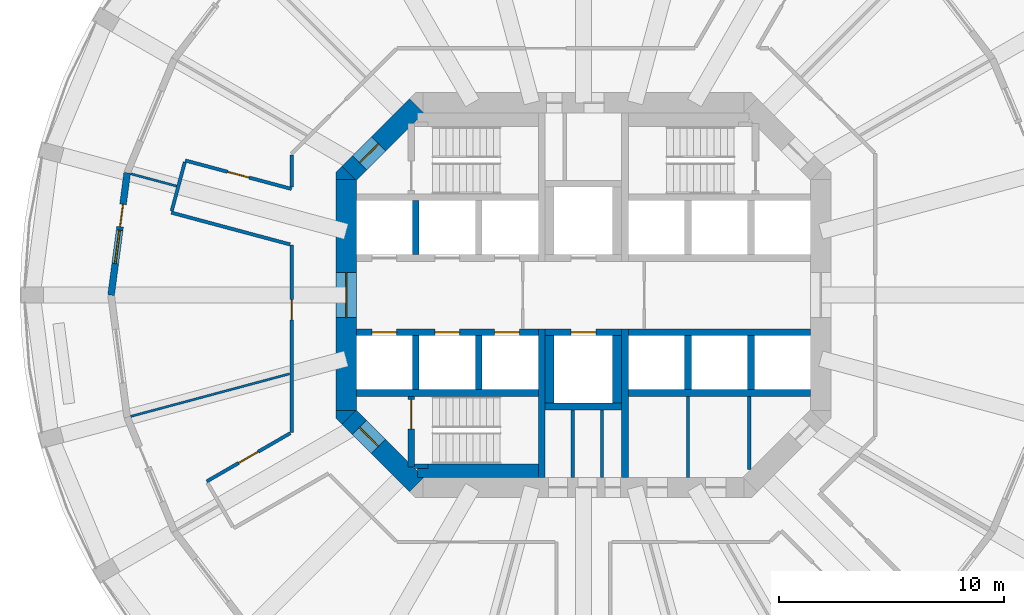
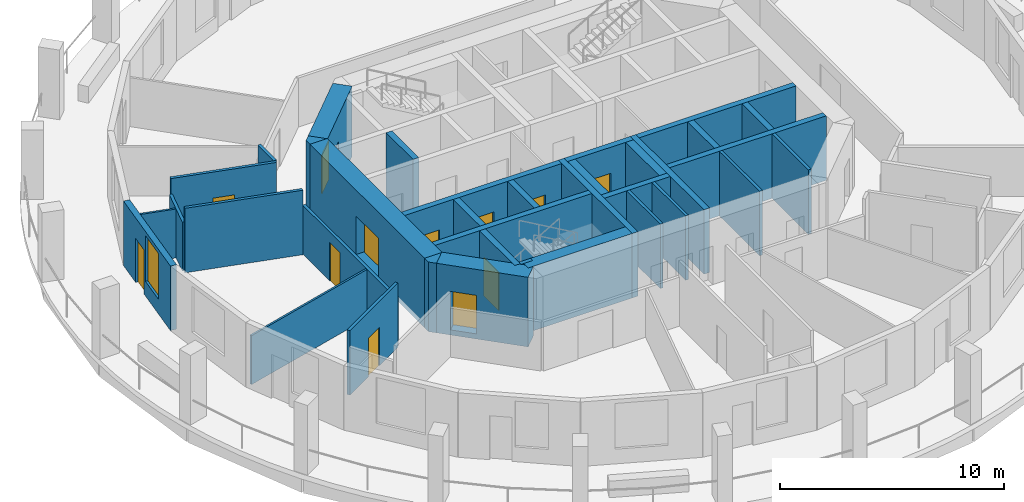
# One storey, part 3 of 8: 36 walls, 12 doors, 1 window, 13 openings.
"""IFC4 building model written with IfcOpenShell, lengths in metres."""

from ifc_helpers import new_model, si_unit, direction, frame, frame_2d, origin, place, context, subcontext, project, spatial, polyline, rectangle, outline, extrude, material, layer, layer_set, type_object, element, fill, save


model = new_model("IFC4")

# Units and contexts
model_context = context("Model", 3, precision=1e-05, world=origin(), true_north=direction((0.0, 1.0)))
body_context = subcontext(model_context, "Body", "Model", "MODEL_VIEW")
ifc_project = project(units=[si_unit("LENGTHUNIT", "METRE"), si_unit("AREAUNIT", "SQUARE_METRE"), si_unit("VOLUMEUNIT", "CUBIC_METRE"), si_unit("PLANEANGLEUNIT", "RADIAN"), si_unit("MASSUNIT", "GRAM", prefix="KILO")], contexts=[model_context])

# Site, building, storey
site_placement = place(None, origin())
site = spatial("IfcSite", under=ifc_project, at=site_placement, CompositionType="ELEMENT")
building_placement = place(site_placement, origin())
building = spatial("IfcBuilding", under=site, at=building_placement, Name="Torre Triforio", CompositionType="ELEMENT")
storey_placement = place(building_placement, frame((0.0, 0.0, 123.800048828125)))
storey = spatial("IfcBuildingStorey", under=building, at=storey_placement, Name="L27", CompositionType="ELEMENT", Elevation=123.800048828125)

# Walls
ifc_material_1 = material(Name="Concrete C60", Category="concrete")
ifc_layer_1 = layer(ifc_material_1, 0.300048828125)
ifc_layer_set_1 = layer_set([ifc_layer_1], Name="Concrete C60")
wall_type_1 = type_object("IfcWallType", Name="Core wall 300 mm C60 EI 120", PredefinedType="SHEAR", material=ifc_layer_set_1)
for number, where, z_axis, x_axis, name in (
    (1, (-1.85009765625, -8.10009765625, 0.0), (0.0, 0.0, 1.0), (0.0, 1.0, 0.0), "Core wall"),
    (2, (1.85009765625, -8.10009765625, 0.0), (0.0, 0.0, 1.0), (0.0, 1.0, 0.0), "Core wall"),
):
    element("IfcWall", number, at=place(storey_placement, frame(where, z_axis=z_axis, x_axis=x_axis)), inside=storey, type_object=wall_type_1, Name=name, PredefinedType="SHEAR", context=body_context, shape_type="SweptSolid", body=[
        extrude(rectangle(XDim=6.60009765625, YDim=0.300048828125, at=frame_2d((3.300048828125, 0.0))), origin(), (0.0, 0.0, 1.0), 3.52001953125),
    ])

# Wall, opening, door
ifc_layer_2 = layer(ifc_material_1, 0.89990234375)
ifc_layer_set_2 = layer_set([ifc_layer_2], Name="Concrete C60")
wall_type_2 = type_object("IfcWallType", Name="Core wall 900 mm C60 EI 120", PredefinedType="SHEAR", material=ifc_layer_set_2)
wall_1_placement = place(storey_placement, frame((-10.550048828125, -5.1298828125, -0.280029296875), z_axis=(0.0, 0.0, 1.0), x_axis=(0.0, 1.0, 0.0)))
wall_1 = element("IfcWall", 3, at=wall_1_placement, inside=storey, type_object=wall_type_2, Name="Core wall", PredefinedType="SHEAR", context=body_context, shape_type="SweptSolid", body=[
    extrude(rectangle(XDim=10.259765625, YDim=0.89990234375, at=frame_2d((5.1298828125, 0.0))), origin(), (0.0, 0.0, 1.0), 3.800048828125),
])
opening_1_placement = place(wall_1_placement, frame((4.1298828125, 0.0, 0.280029296875)))
opening_1 = element("IfcOpeningElement", 4, at=opening_1_placement, cuts=wall_1, Name="Opening W-RING", PredefinedType="OPENING", context=body_context, shape_type="SweptSolid", body=[
    extrude(rectangle(XDim=2.0, YDim=2.10009765625, at=frame_2d((1.0, 1.050048828125))), frame((0.0, 0.4599609375, 0.0), z_axis=(0.0, -1.0, 0.0), x_axis=(1.0, 0.0, 0.0)), (0.0, 0.0, 1.0), 0.919921875),
])
ifc_material_2 = material(Name="Hollow metal fire door leaf")
door_type_1 = type_object("IfcDoorType", Name="Lobby door 2000 x 2100 EI 60", OperationType="DOUBLE_DOOR_SINGLE_SWING", PredefinedType="DOOR", material=ifc_material_2)
door_1_placement = place(opening_1_placement, origin())
door_1 = element("IfcDoor", 5, at=door_1_placement, inside=storey, type_object=door_type_1, Name="Core door W-RING", OperationType="DOUBLE_DOOR_SINGLE_SWING", OverallHeight=2.10009765625, OverallWidth=2.0, PredefinedType="DOOR", context=body_context, shape_type="SweptSolid", body=[
    extrude(rectangle(XDim=2.0, YDim=2.10009765625, at=frame_2d((1.0, 1.050048828125))), frame((0.0, 0.02490234375, 0.0), z_axis=(0.0, -1.0, 0.0), x_axis=(1.0, 0.0, 0.0)), (0.0, 0.0, 1.0), 0.050048828125),
])
fill(opening_1, door_1)

wall_2_placement = place(storey_placement, frame((-10.418212890625, 5.418212890625, -0.280029296875), z_axis=(0.0, 0.0, 1.0), x_axis=(0.707106781187, 0.707106781187, 0.0)))
wall_2 = element("IfcWall", 6, at=wall_2_placement, inside=storey, type_object=wall_type_2, Name="Core wall", PredefinedType="SHEAR", context=body_context, shape_type="SweptSolid", body=[
    extrude(rectangle(XDim=4.24267578125, YDim=0.89990234375, at=frame_2d((2.121337890625, 0.0))), origin(), (0.0, 0.0, 1.0), 3.800048828125),
])
opening_2_placement = place(wall_2_placement, frame((0.64990234375, 0.0, 0.280029296875)))
opening_2 = element("IfcOpeningElement", 7, at=opening_2_placement, cuts=wall_2, Name="Opening ST1-EXIT", PredefinedType="OPENING", context=body_context, shape_type="SweptSolid", body=[
    extrude(rectangle(XDim=1.199951171875, YDim=2.10009765625, at=frame_2d((0.60009765625, 1.050048828125))), frame((0.0, 0.4599609375, 0.0), z_axis=(0.0, -1.0, 0.0), x_axis=(1.0, 0.0, 0.0)), (0.0, 0.0, 1.0), 0.919921875),
])
door_type_2 = type_object("IfcDoorType", Name="Stair lobby door 1200 x 2100 EI 60", OperationType="NOTDEFINED", PredefinedType="DOOR", material=ifc_material_2)
door_2_placement = place(opening_2_placement, origin())
door_2 = element("IfcDoor", 8, at=door_2_placement, inside=storey, type_object=door_type_2, Name="Core door ST1-EXIT", OperationType="SINGLE_SWING_RIGHT", OverallHeight=2.10009765625, OverallWidth=1.199951171875, PredefinedType="DOOR", context=body_context, shape_type="SweptSolid", body=[
    extrude(rectangle(XDim=1.199951171875, YDim=2.10009765625, at=frame_2d((0.60009765625, 1.050048828125))), frame((0.0, 0.02490234375, 0.0), z_axis=(0.0, -1.0, 0.0), x_axis=(1.0, 0.0, 0.0)), (0.0, 0.0, 1.0), 0.050048828125),
])
fill(opening_2, door_2)

wall_3_placement = place(storey_placement, frame((-7.418212890625, -8.418212890625, -0.280029296875), z_axis=(0.0, 0.0, 1.0), x_axis=(-0.707106781187, 0.707106781187, 0.0)))
wall_3 = element("IfcWall", 9, at=wall_3_placement, inside=storey, type_object=wall_type_2, Name="Core wall", PredefinedType="SHEAR", context=body_context, shape_type="SweptSolid", body=[
    extrude(rectangle(XDim=4.24267578125, YDim=0.89990234375, at=frame_2d((2.121337890625, 0.0))), origin(), (0.0, 0.0, 1.0), 3.800048828125),
])
opening_3_placement = place(wall_3_placement, frame((2.392578125, 0.0, 0.280029296875)))
opening_3 = element("IfcOpeningElement", 10, at=opening_3_placement, cuts=wall_3, Name="Opening ST3-EXIT", PredefinedType="OPENING", context=body_context, shape_type="SweptSolid", body=[
    extrude(rectangle(XDim=1.199951171875, YDim=2.10009765625, at=frame_2d((0.60009765625, 1.050048828125))), frame((0.0, 0.4599609375, 0.0), z_axis=(0.0, -1.0, 0.0), x_axis=(1.0, 0.0, 0.0)), (0.0, 0.0, 1.0), 0.919921875),
])
door_3_placement = place(opening_3_placement, origin())
door_3 = element("IfcDoor", 11, at=door_3_placement, inside=storey, type_object=door_type_2, Name="Core door ST3-EXIT", OperationType="SINGLE_SWING_RIGHT", OverallHeight=2.10009765625, OverallWidth=1.199951171875, PredefinedType="DOOR", context=body_context, shape_type="SweptSolid", body=[
    extrude(rectangle(XDim=1.199951171875, YDim=2.10009765625, at=frame_2d((0.60009765625, 1.050048828125))), frame((0.0, 0.02490234375, 0.0), z_axis=(0.0, -1.0, 0.0), x_axis=(1.0, 0.0, 0.0)), (0.0, 0.0, 1.0), 0.050048828125),
])
fill(opening_3, door_3)

# Walls
wall_4_placement = place(storey_placement, frame((0.0, 0.0, -0.280029296875)))
element("IfcWall", 12, at=wall_4_placement, inside=storey, type_object=wall_type_2, Name="Core wall", PredefinedType="SHEAR", context=body_context, shape_type="SweptSolid", body=[
    extrude(outline(polyline([(-11.0, -5.472900390625), (-11.0, -5.1298828125), (-10.1298828125, -5.1298828125), (-10.736328125, -5.736328125), (-11.0, -5.472900390625)])), origin(), (0.0, 0.0, 1.0), 3.800048828125),
])
wall_5_placement = place(storey_placement, frame((0.0, 0.0, -0.280029296875)))
element("IfcWall", 13, at=wall_5_placement, inside=storey, type_object=wall_type_2, Name="Core wall", PredefinedType="SHEAR", context=body_context, shape_type="SweptSolid", body=[
    extrude(outline(polyline([(-10.736328125, 5.736328125), (-10.1298828125, 5.1298828125), (-11.0, 5.1298828125), (-11.0, 5.472900390625), (-10.736328125, 5.736328125)])), origin(), (0.0, 0.0, 1.0), 3.800048828125),
])

# Wall, opening, door
ifc_material_3 = material(Name="Plasterboard on metal studs")
ifc_layer_3 = layer(ifc_material_3, 0.14990234375)
ifc_layer_set_3 = layer_set([ifc_layer_3], Name="Plasterboard on metal studs")
wall_type_3 = type_object("IfcWallType", Name="Corridor and tenancy wall 150 mm EI 60", PredefinedType="PARTITIONING", material=ifc_layer_set_3)
wall_6_placement = place(storey_placement, frame((-16.750244140625, -8.28515625, 0.0), z_axis=(0.0, 0.0, 1.0), x_axis=(0.866019905438, 0.500009523294, 0.0)))
wall_6 = element("IfcWall", 14, at=wall_6_placement, inside=storey, type_object=wall_type_3, Name="Partition 2", PredefinedType="PARTITIONING", context=body_context, shape_type="SweptSolid", body=[
    extrude(rectangle(XDim=4.29443359375, YDim=0.14990234375, at=frame_2d((2.147216796875, 0.0))), origin(), (0.0, 0.0, 1.0), 3.52001953125),
])
opening_4_placement = place(wall_6_placement, frame((1.647216796875, 0.0, 0.0)))
opening_4 = element("IfcOpeningElement", 15, at=opening_4_placement, cuts=wall_6, Name="Opening D1-05", PredefinedType="OPENING", context=body_context, shape_type="SweptSolid", body=[
    extrude(rectangle(XDim=1.0, YDim=2.10009765625, at=frame_2d((0.5, 1.050048828125))), frame((0.0, 0.0849609375, 0.0), z_axis=(0.0, -1.0, 0.0), x_axis=(1.0, 0.0, 0.0)), (0.0, 0.0, 1.0), 0.169921875),
])
ifc_material_4 = material(Name="Timber", Category="wood")
door_type_3 = type_object("IfcDoorType", Name="Door 1000 x 2100 single leaf EI 30", OperationType="NOTDEFINED", PredefinedType="DOOR", material=ifc_material_4)
door_4_placement = place(opening_4_placement, origin())
door_4 = element("IfcDoor", 16, at=door_4_placement, inside=storey, type_object=door_type_3, Name="Door D1-05", OperationType="SINGLE_SWING_RIGHT", OverallHeight=2.10009765625, OverallWidth=1.0, PredefinedType="DOOR", context=body_context, shape_type="SweptSolid", body=[
    extrude(rectangle(XDim=1.0, YDim=2.10009765625, at=frame_2d((0.5, 1.050048828125))), frame((0.0, 0.02490234375, 0.0), z_axis=(0.0, -1.0, 0.0), x_axis=(1.0, 0.0, 0.0)), (0.0, 0.0, 1.0), 0.050048828125),
])
fill(opening_4, door_4)

wall_7_placement = place(storey_placement, frame((-12.97509765625, -6.10546875, 0.0), z_axis=(0.0, 0.0, 1.0), x_axis=(0.0, 1.0, 0.0)))
wall_7 = element("IfcWall", 17, at=wall_7_placement, inside=storey, type_object=wall_type_3, Name="Partition 3", PredefinedType="PARTITIONING", context=body_context, shape_type="SweptSolid", body=[
    extrude(rectangle(XDim=8.33984375, YDim=0.14990234375, at=frame_2d((4.169921875, 0.0))), origin(), (0.0, 0.0, 1.0), 2.669921875),
])
opening_5_placement = place(wall_7_placement, frame((5.00830078125, 0.0, 0.0)))
opening_5 = element("IfcOpeningElement", 18, at=opening_5_placement, cuts=wall_7, Name="Opening D1-04", PredefinedType="OPENING", context=body_context, shape_type="SweptSolid", body=[
    extrude(rectangle(XDim=0.89990234375, YDim=2.10009765625, at=frame_2d((0.449951171875, 1.050048828125))), frame((0.0, 0.0849609375, 0.0), z_axis=(0.0, -1.0, 0.0), x_axis=(1.0, 0.0, 0.0)), (0.0, 0.0, 1.0), 0.169921875),
])
door_type_4 = type_object("IfcDoorType", Name="Door 900 x 2100 single leaf EI 30", OperationType="NOTDEFINED", PredefinedType="DOOR", material=ifc_material_4)
door_5_placement = place(opening_5_placement, origin())
door_5 = element("IfcDoor", 19, at=door_5_placement, inside=storey, type_object=door_type_4, Name="Door D1-04", OperationType="SINGLE_SWING_LEFT", OverallHeight=2.10009765625, OverallWidth=0.89990234375, PredefinedType="DOOR", context=body_context, shape_type="SweptSolid", body=[
    extrude(rectangle(XDim=0.89990234375, YDim=2.10009765625, at=frame_2d((0.449951171875, 1.050048828125))), frame((0.0, 0.02490234375, 0.0), z_axis=(0.0, -1.0, 0.0), x_axis=(1.0, 0.0, 0.0)), (0.0, 0.0, 1.0), 0.050048828125),
])
fill(opening_5, door_5)

# Walls
wall_8_placement = place(storey_placement, frame((-13.044921875, 2.253173828125, 0.0), z_axis=(0.0, 0.0, 1.0), x_axis=(-0.965932498402, 0.258794143153, 0.0)))
element("IfcWall", 20, at=wall_8_placement, inside=storey, type_object=wall_type_3, Name="Partition 4", PredefinedType="PARTITIONING", context=body_context, shape_type="SweptSolid", body=[
    extrude(rectangle(XDim=5.465087890625, YDim=0.14990234375, at=frame_2d((2.732421875, 0.0))), origin(), (0.0, 0.0, 1.0), 3.52001953125),
])
wall_9_placement = place(storey_placement, frame((-18.304443359375, 3.739990234375, 0.0), z_axis=(0.0, 0.0, 1.0), x_axis=(0.25879032241, 0.965933522054, 0.0)))
element("IfcWall", 21, at=wall_9_placement, inside=storey, type_object=wall_type_3, Name="Partition 5", PredefinedType="PARTITIONING", context=body_context, shape_type="SweptSolid", body=[
    extrude(rectangle(XDim=2.25, YDim=0.14990234375, at=frame_2d((1.125, 0.0))), origin(), (0.0, 0.0, 1.0), 2.669921875),
])

# Wall, opening, door
wall_10_placement = place(storey_placement, frame((-17.70263671875, 5.98583984375, 0.0), z_axis=(0.0, 0.0, 1.0), x_axis=(0.965920440817, -0.258839143121, 0.0)))
wall_10 = element("IfcWall", 22, at=wall_10_placement, inside=storey, type_object=wall_type_3, Name="Partition 6", PredefinedType="PARTITIONING", context=body_context, shape_type="SweptSolid", body=[
    extrude(rectangle(XDim=4.894287109375, YDim=0.14990234375, at=frame_2d((2.447265625, 0.0))), origin(), (0.0, 0.0, 1.0), 3.52001953125),
])
opening_6_placement = place(wall_10_placement, frame((1.947265625, 0.0, 0.0)))
opening_6 = element("IfcOpeningElement", 23, at=opening_6_placement, cuts=wall_10, Name="Opening D1-03", PredefinedType="OPENING", context=body_context, shape_type="SweptSolid", body=[
    extrude(rectangle(XDim=1.0, YDim=2.10009765625, at=frame_2d((0.5, 1.050048828125))), frame((0.0, 0.0849609375, 0.0), z_axis=(0.0, -1.0, 0.0), x_axis=(1.0, 0.0, 0.0)), (0.0, 0.0, 1.0), 0.169921875),
])
door_6_placement = place(opening_6_placement, origin())
door_6 = element("IfcDoor", 24, at=door_6_placement, inside=storey, type_object=door_type_3, Name="Door D1-03", OperationType="SINGLE_SWING_RIGHT", OverallHeight=2.10009765625, OverallWidth=1.0, PredefinedType="DOOR", context=body_context, shape_type="SweptSolid", body=[
    extrude(rectangle(XDim=1.0, YDim=2.10009765625, at=frame_2d((0.5, 1.050048828125))), frame((0.0, 0.02490234375, 0.0), z_axis=(0.0, -1.0, 0.0), x_axis=(1.0, 0.0, 0.0)), (0.0, 0.0, 1.0), 0.050048828125),
])
fill(opening_6, door_6)

# Walls
wall_11_placement = place(storey_placement, frame((-12.97509765625, 4.81640625, 0.0), z_axis=(0.0, 0.0, 1.0), x_axis=(0.0, 1.0, 0.0)))
element("IfcWall", 25, at=wall_11_placement, inside=storey, type_object=wall_type_3, Name="Partition 7", PredefinedType="PARTITIONING", context=body_context, shape_type="SweptSolid", body=[
    extrude(rectangle(XDim=1.421875, YDim=0.14990234375, at=frame_2d((0.7109375, 0.0))), origin(), (0.0, 0.0, 1.0), 3.52001953125),
])
ifc_layer_4 = layer(ifc_material_3, 0.10009765625)
ifc_layer_set_4 = layer_set([ifc_layer_4], Name="Plasterboard on metal studs")
wall_type_4 = type_object("IfcWallType", Name="Partition 100 mm board on metal studs", PredefinedType="PARTITIONING", material=ifc_layer_set_4)
wall_12_placement = place(storey_placement, frame((-18.085693359375, 4.84619140625, 0.0), z_axis=(0.0, 0.0, 1.0), x_axis=(-0.965956301772, 0.258705282257, 0.0)))
element("IfcWall", 26, at=wall_12_placement, inside=storey, type_object=wall_type_4, Name="Partition 35", PredefinedType="PARTITIONING", context=body_context, shape_type="SweptSolid", body=[
    extrude(rectangle(XDim=2.113037109375, YDim=0.10009765625, at=frame_2d((1.056640625, 0.0))), origin(), (0.0, 0.0, 1.0), 2.669921875),
])
wall_13_placement = place(storey_placement, frame((-13.064208984375, -3.50048828125, 0.0), z_axis=(0.0, 0.0, 1.0), x_axis=(-0.965927781613, -0.258811747624, 0.0)))
element("IfcWall", 27, at=wall_13_placement, inside=storey, type_object=wall_type_4, Name="Partition 36", PredefinedType="PARTITIONING", context=body_context, shape_type="SweptSolid", body=[
    extrude(rectangle(XDim=7.3115234375, YDim=0.10009765625, at=frame_2d((3.65576171875, 0.0))), origin(), (0.0, 0.0, 1.0), 2.669921875),
])
ifc_material_5 = material(Name="Block and board partition")
ifc_layer_5 = layer(ifc_material_5, 0.14990234375)
ifc_layer_set_5 = layer_set([ifc_layer_5], Name="Block and board partition")
wall_type_5 = type_object("IfcWallType", Name="Partition 150 mm", PredefinedType="PARTITIONING", material=ifc_layer_set_5)
wall_14_placement = place(storey_placement, frame((-0.47509765625, -8.10009765625, 0.0), z_axis=(0.0, 0.0, 1.0), x_axis=(0.0, 1.0, 0.0)))
element("IfcWall", 28, at=wall_14_placement, inside=storey, type_object=wall_type_5, Name="Partition", PredefinedType="PARTITIONING", context=body_context, shape_type="SweptSolid", body=[
    extrude(rectangle(XDim=3.0, YDim=0.14990234375, at=frame_2d((1.5, 0.0))), origin(), (0.0, 0.0, 1.0), 3.52001953125),
])
wall_15_placement = place(storey_placement, frame((4.64892578125, -8.10009765625, 0.0), z_axis=(0.0, 0.0, 1.0), x_axis=(0.0, 1.0, 0.0)))
element("IfcWall", 29, at=wall_15_placement, inside=storey, type_object=wall_type_5, Name="Partition", PredefinedType="PARTITIONING", context=body_context, shape_type="SweptSolid", body=[
    extrude(rectangle(XDim=3.60009765625, YDim=0.14990234375, at=frame_2d((1.800048828125, 0.0))), origin(), (0.0, 0.0, 1.0), 3.52001953125),
])
wall_16_placement = place(storey_placement, frame((7.373046875, -7.751953125, 0.0), z_axis=(0.0, 0.0, 1.0), x_axis=(0.0, 1.0, 0.0)))
element("IfcWall", 30, at=wall_16_placement, inside=storey, type_object=wall_type_5, Name="Partition", PredefinedType="PARTITIONING", context=body_context, shape_type="SweptSolid", body=[
    extrude(rectangle(XDim=3.251953125, YDim=0.14990234375, at=frame_2d((1.6259765625, 0.0))), origin(), (0.0, 0.0, 1.0), 3.52001953125),
])
ifc_layer_6 = layer(ifc_material_5, 0.14990234375)
ifc_layer_set_6 = layer_set([ifc_layer_6], Name="Block and board partition")
wall_type_6 = type_object("IfcWallType", Name="Partition 150 mm EI 120", PredefinedType="PARTITIONING", material=ifc_layer_set_6)
wall_17_placement = place(storey_placement, frame((0.824951171875, -8.10009765625, 0.0), z_axis=(0.0, 0.0, 1.0), x_axis=(0.0, 1.0, 0.0)))
element("IfcWall", 31, at=wall_17_placement, inside=storey, type_object=wall_type_6, Name="Partition", PredefinedType="PARTITIONING", context=body_context, shape_type="SweptSolid", body=[
    extrude(rectangle(XDim=3.0, YDim=0.14990234375, at=frame_2d((1.5, 0.0))), origin(), (0.0, 0.0, 1.0), 3.52001953125),
])
ifc_layer_7 = layer(ifc_material_1, 0.300048828125)
ifc_layer_set_7 = layer_set([ifc_layer_7], Name="Concrete C60")
wall_type_7 = type_object("IfcWallType", Name="Shaft wall 300 mm C60 EI 120", PredefinedType="SOLIDWALL", material=ifc_layer_set_7)
for number, where, z_axis, x_axis, name in (
    (32, (-10.10009765625, -4.35009765625, 0.0), (0.0, 0.0, 1.0), (1.0, 0.0, 0.0), "Shaft wall"),
    (33, (2.0, -4.35009765625, 0.0), (0.0, 0.0, 1.0), (1.0, 0.0, 0.0), "Shaft wall"),
):
    element("IfcWall", number, at=place(storey_placement, frame(where, z_axis=z_axis, x_axis=x_axis)), inside=storey, type_object=wall_type_7, Name=name, PredefinedType="SOLIDWALL", context=body_context, shape_type="SweptSolid", body=[
        extrude(rectangle(XDim=8.10009765625, YDim=0.300048828125, at=frame_2d((4.050048828125, 0.0))), origin(), (0.0, 0.0, 1.0), 3.52001953125),
    ])

# Wall, openings, doors
wall_18_placement = place(storey_placement, frame((-10.10009765625, -1.64990234375, 0.0), z_axis=(0.0, 0.0, 1.0), x_axis=(1.0, 0.0, 0.0)))
wall_18 = element("IfcWall", 34, at=wall_18_placement, inside=storey, type_object=wall_type_7, Name="Shaft wall", PredefinedType="SOLIDWALL", context=body_context, shape_type="SweptSolid", body=[
    extrude(rectangle(XDim=8.10009765625, YDim=0.300048828125, at=frame_2d((4.050048828125, 0.0))), origin(), (0.0, 0.0, 1.0), 3.52001953125),
])
opening_7_placement = place(wall_18_placement, frame((0.699951171875, 0.0, 0.0)))
opening_7 = element("IfcOpeningElement", 35, at=opening_7_placement, cuts=wall_18, Name="Opening LD", PredefinedType="OPENING", context=body_context, shape_type="SweptSolid", body=[
    extrude(rectangle(XDim=1.10009765625, YDim=2.10009765625, at=frame_2d((0.550048828125, 1.050048828125))), frame((0.0, 0.159912109375, 0.0), z_axis=(0.0, -1.0, 0.0), x_axis=(1.0, 0.0, 0.0)), (0.0, 0.0, 1.0), 0.320068359375),
])
opening_8_placement = place(wall_18_placement, frame((3.5, 0.0, 0.0)))
opening_8 = element("IfcOpeningElement", 36, at=opening_8_placement, cuts=wall_18, Name="Opening LD", PredefinedType="OPENING", context=body_context, shape_type="SweptSolid", body=[
    extrude(rectangle(XDim=1.10009765625, YDim=2.10009765625, at=frame_2d((0.550048828125, 1.050048828125))), frame((0.0, 0.159912109375, 0.0), z_axis=(0.0, -1.0, 0.0), x_axis=(1.0, 0.0, 0.0)), (0.0, 0.0, 1.0), 0.320068359375),
])
opening_9_placement = place(wall_18_placement, frame((6.14990234375, 0.0, 0.0)))
opening_9 = element("IfcOpeningElement", 37, at=opening_9_placement, cuts=wall_18, Name="Opening LD", PredefinedType="OPENING", context=body_context, shape_type="SweptSolid", body=[
    extrude(rectangle(XDim=1.10009765625, YDim=2.10009765625, at=frame_2d((0.550048828125, 1.050048828125))), frame((0.0, 0.159912109375, 0.0), z_axis=(0.0, -1.0, 0.0), x_axis=(1.0, 0.0, 0.0)), (0.0, 0.0, 1.0), 0.320068359375),
])
door_type_5 = type_object("IfcDoorType", Name="Landing door 1100 x 2100 EI 60", OperationType="DOUBLE_DOOR_SLIDING", PredefinedType="DOOR", material=ifc_material_2)
door_7_placement = place(opening_7_placement, origin())
door_7 = element("IfcDoor", 38, at=door_7_placement, inside=storey, type_object=door_type_5, Name="Landing door LR4", OperationType="DOUBLE_DOOR_SLIDING", OverallHeight=2.10009765625, OverallWidth=1.10009765625, PredefinedType="DOOR", context=body_context, shape_type="SweptSolid", body=[
    extrude(rectangle(XDim=1.10009765625, YDim=2.10009765625, at=frame_2d((0.550048828125, 1.050048828125))), frame((0.0, 0.02490234375, 0.0), z_axis=(0.0, -1.0, 0.0), x_axis=(1.0, 0.0, 0.0)), (0.0, 0.0, 1.0), 0.050048828125),
])
fill(opening_7, door_7)
door_8_placement = place(opening_8_placement, origin())
door_8 = element("IfcDoor", 39, at=door_8_placement, inside=storey, type_object=door_type_5, Name="Landing door LR5", OperationType="DOUBLE_DOOR_SLIDING", OverallHeight=2.10009765625, OverallWidth=1.10009765625, PredefinedType="DOOR", context=body_context, shape_type="SweptSolid", body=[
    extrude(rectangle(XDim=1.10009765625, YDim=2.10009765625, at=frame_2d((0.550048828125, 1.050048828125))), frame((0.0, 0.02490234375, 0.0), z_axis=(0.0, -1.0, 0.0), x_axis=(1.0, 0.0, 0.0)), (0.0, 0.0, 1.0), 0.050048828125),
])
fill(opening_8, door_8)
door_9_placement = place(opening_9_placement, origin())
door_9 = element("IfcDoor", 40, at=door_9_placement, inside=storey, type_object=door_type_5, Name="Landing door LR6", OperationType="DOUBLE_DOOR_SLIDING", OverallHeight=2.10009765625, OverallWidth=1.10009765625, PredefinedType="DOOR", context=body_context, shape_type="SweptSolid", body=[
    extrude(rectangle(XDim=1.10009765625, YDim=2.10009765625, at=frame_2d((0.550048828125, 1.050048828125))), frame((0.0, 0.02490234375, 0.0), z_axis=(0.0, -1.0, 0.0), x_axis=(1.0, 0.0, 0.0)), (0.0, 0.0, 1.0), 0.050048828125),
])
fill(opening_9, door_9)

# Walls
wall_19_placement = place(storey_placement, frame((2.0, -1.64990234375, 0.0), z_axis=(0.0, 0.0, 1.0), x_axis=(1.0, 0.0, 0.0)))
element("IfcWall", 41, at=wall_19_placement, inside=storey, type_object=wall_type_7, Name="Shaft wall", PredefinedType="SOLIDWALL", context=body_context, shape_type="SweptSolid", body=[
    extrude(rectangle(XDim=8.10009765625, YDim=0.300048828125, at=frame_2d((4.050048828125, 0.0))), origin(), (0.0, 0.0, 1.0), 3.52001953125),
])
for number, where, z_axis, x_axis, name in (
    (42, (-7.449951171875, 1.800048828125, 0.0), (0.0, 0.0, 1.0), (0.0, 1.0, 0.0), "Shaft wall"),
    (43, (-7.449951171875, -4.199951171875, 0.0), (0.0, 0.0, 1.0), (0.0, 1.0, 0.0), "Shaft wall"),
    (44, (-4.64990234375, -4.199951171875, 0.0), (0.0, 0.0, 1.0), (0.0, 1.0, 0.0), "Shaft wall"),
    (45, (4.64990234375, -4.199951171875, 0.0), (0.0, 0.0, 1.0), (0.0, 1.0, 0.0), "Shaft wall"),
    (46, (7.449951171875, -4.199951171875, 0.0), (0.0, 0.0, 1.0), (0.0, 1.0, 0.0), "Shaft wall"),
):
    element("IfcWall", number, at=place(storey_placement, frame(where, z_axis=z_axis, x_axis=x_axis)), inside=storey, type_object=wall_type_7, Name=name, PredefinedType="SOLIDWALL", context=body_context, shape_type="SweptSolid", body=[
        extrude(rectangle(XDim=2.39990234375, YDim=0.300048828125, at=frame_2d((1.199951171875, 0.0))), origin(), (0.0, 0.0, 1.0), 3.52001953125),
    ])

# Wall, opening, door
wall_20_placement = place(storey_placement, frame((-1.699951171875, -1.64990234375, 0.0), z_axis=(0.0, 0.0, 1.0), x_axis=(1.0, 0.0, 0.0)))
wall_20 = element("IfcWall", 47, at=wall_20_placement, inside=storey, type_object=wall_type_7, Name="Shaft wall", PredefinedType="SOLIDWALL", context=body_context, shape_type="SweptSolid", body=[
    extrude(rectangle(XDim=3.39990234375, YDim=0.300048828125, at=frame_2d((1.699951171875, 0.0))), origin(), (0.0, 0.0, 1.0), 3.52001953125),
])
opening_10_placement = place(wall_20_placement, frame((1.14990234375, 0.0, 0.0)))
opening_10 = element("IfcOpeningElement", 48, at=opening_10_placement, cuts=wall_20, Name="Opening LD", PredefinedType="OPENING", context=body_context, shape_type="SweptSolid", body=[
    extrude(rectangle(XDim=1.10009765625, YDim=2.10009765625, at=frame_2d((0.550048828125, 1.050048828125))), frame((0.0, 0.159912109375, 0.0), z_axis=(0.0, -1.0, 0.0), x_axis=(1.0, 0.0, 0.0)), (0.0, 0.0, 1.0), 0.320068359375),
])
door_10_placement = place(opening_10_placement, origin())
door_10 = element("IfcDoor", 49, at=door_10_placement, inside=storey, type_object=door_type_5, Name="Landing door FFL2", OperationType="DOUBLE_DOOR_SLIDING", OverallHeight=2.10009765625, OverallWidth=1.10009765625, PredefinedType="DOOR", context=body_context, shape_type="SweptSolid", body=[
    extrude(rectangle(XDim=1.10009765625, YDim=2.10009765625, at=frame_2d((0.550048828125, 1.050048828125))), frame((0.0, 0.02490234375, 0.0), z_axis=(0.0, -1.0, 0.0), x_axis=(1.0, 0.0, 0.0)), (0.0, 0.0, 1.0), 0.050048828125),
])
fill(opening_10, door_10)

# Walls
wall_21_placement = place(storey_placement, frame((-1.699951171875, -4.949951171875, 0.0), z_axis=(0.0, 0.0, 1.0), x_axis=(1.0, 0.0, 0.0)))
element("IfcWall", 50, at=wall_21_placement, inside=storey, type_object=wall_type_7, Name="Shaft wall", PredefinedType="SOLIDWALL", context=body_context, shape_type="SweptSolid", body=[
    extrude(rectangle(XDim=3.39990234375, YDim=0.300048828125, at=frame_2d((1.699951171875, 0.0))), origin(), (0.0, 0.0, 1.0), 3.52001953125),
])
ifc_layer_8 = layer(ifc_material_1, 0.39990234375)
ifc_layer_set_8 = layer_set([ifc_layer_8], Name="Concrete C60")
wall_type_8 = type_object("IfcWallType", Name="Shaft wall 400 mm C60 EI 120", PredefinedType="SOLIDWALL", material=ifc_layer_set_8)
for number, where, z_axis, x_axis, name in (
    (51, (-1.5, -4.800048828125, 0.0), (0.0, 0.0, 1.0), (0.0, 1.0, 0.0), "Shaft wall"),
    (52, (1.5, -4.800048828125, 0.0), (0.0, 0.0, 1.0), (0.0, 1.0, 0.0), "Shaft wall"),
):
    element("IfcWall", number, at=place(storey_placement, frame(where, z_axis=z_axis, x_axis=x_axis)), inside=storey, type_object=wall_type_8, Name=name, PredefinedType="SOLIDWALL", context=body_context, shape_type="SweptSolid", body=[
        extrude(rectangle(XDim=3.0, YDim=0.39990234375, at=frame_2d((1.5, 0.0))), origin(), (0.0, 0.0, 1.0), 3.52001953125),
    ])
ifc_layer_9 = layer(ifc_material_1, 0.199951171875)
ifc_layer_set_9 = layer_set([ifc_layer_9], Name="Concrete C60")
wall_type_9 = type_object("IfcWallType", Name="Stair wall 200 mm C60 EI 120", PredefinedType="SHEAR", material=ifc_layer_set_9)
wall_22_placement = place(storey_placement, frame((-7.5, -7.60009765625, 0.0), z_axis=(0.0, 0.0, 1.0), x_axis=(1.0, 0.0, 0.0)))
element("IfcWall", 53, at=wall_22_placement, inside=storey, type_object=wall_type_9, Name="Stair wall", PredefinedType="SHEAR", context=body_context, shape_type="SweptSolid", body=[
    extrude(rectangle(XDim=0.60009765625, YDim=0.199951171875, at=frame_2d((0.300048828125, 0.0))), origin(), (0.0, 0.0, 1.0), 3.52001953125),
])

# Wall, opening, door
ifc_layer_10 = layer(ifc_material_1, 0.300048828125)
ifc_layer_set_10 = layer_set([ifc_layer_10], Name="Concrete C60")
wall_type_10 = type_object("IfcWallType", Name="Stair wall 300 mm C60 EI 120", PredefinedType="SHEAR", material=ifc_layer_set_10)
wall_23_placement = place(storey_placement, frame((-7.64990234375, -7.639892578125, 0.0), z_axis=(0.0, 0.0, 1.0), x_axis=(0.0, 1.0, 0.0)))
wall_23 = element("IfcWall", 54, at=wall_23_placement, inside=storey, type_object=wall_type_10, Name="Stair wall", PredefinedType="SHEAR", context=body_context, shape_type="SweptSolid", body=[
    extrude(rectangle(XDim=3.139892578125, YDim=0.300048828125, at=frame_2d((1.56982421875, 0.0))), origin(), (0.0, 0.0, 1.0), 3.52001953125),
])
opening_11_placement = place(wall_23_placement, frame((1.679931640625, 0.0, 0.0)))
opening_11 = element("IfcOpeningElement", 55, at=opening_11_placement, cuts=wall_23, Name="Opening ST3-STA", PredefinedType="OPENING", context=body_context, shape_type="SweptSolid", body=[
    extrude(rectangle(XDim=1.320068359375, YDim=2.10009765625, at=frame_2d((0.66015625, 1.050048828125))), frame((0.0, 0.159912109375, 0.0), z_axis=(0.0, -1.0, 0.0), x_axis=(1.0, 0.0, 0.0)), (0.0, 0.0, 1.0), 0.320068359375),
])
door_type_6 = type_object("IfcDoorType", Name="Stair door 1320 x 2100 EI 90", OperationType="DOUBLE_DOOR_SINGLE_SWING", PredefinedType="DOOR", material=ifc_material_2)
door_11_placement = place(opening_11_placement, origin())
door_11 = element("IfcDoor", 56, at=door_11_placement, inside=storey, type_object=door_type_6, Name="Core door ST3-ST", OperationType="DOUBLE_DOOR_SINGLE_SWING", OverallHeight=2.10009765625, OverallWidth=1.320068359375, PredefinedType="DOOR", context=body_context, shape_type="SweptSolid", body=[
    extrude(rectangle(XDim=1.320068359375, YDim=2.10009765625, at=frame_2d((0.66015625, 1.050048828125))), frame((0.0, 0.02490234375, 0.0), z_axis=(0.0, -1.0, 0.0), x_axis=(1.0, 0.0, 0.0)), (0.0, 0.0, 1.0), 0.050048828125),
])
fill(opening_11, door_11)

# Wall
ifc_layer_11 = layer(ifc_material_1, 0.60009765625)
ifc_layer_set_11 = layer_set([ifc_layer_11], Name="Concrete C60")
wall_type_11 = type_object("IfcWallType", Name="Stair wall 600 mm C60 EI 120", PredefinedType="SHEAR", material=ifc_layer_set_11)
wall_24_placement = place(storey_placement, frame((-7.3701171875, -7.800048828125, 0.0), z_axis=(0.0, 0.0, 1.0), x_axis=(1.0, 0.0, 0.0)))
element("IfcWall", 57, at=wall_24_placement, inside=storey, type_object=wall_type_11, Name="Stair wall", PredefinedType="SHEAR", context=body_context, shape_type="SweptSolid", body=[
    extrude(rectangle(XDim=5.3701171875, YDim=0.60009765625, at=frame_2d((2.68505859375, 0.0))), origin(), (0.0, 0.0, 1.0), 3.52001953125),
])

# Wall, openings, door, window
ifc_material_6 = material(Name="Limestone cladding", Category="masonry")
ifc_layer_12 = layer(ifc_material_6, 0.10009765625)
ifc_material_7 = material(Name="Concrete C40", Category="concrete")
ifc_layer_13 = layer(ifc_material_7, 0.199951171875)
ifc_layer_set_12 = layer_set([ifc_layer_12, ifc_layer_13], Name="Limestone cladding / Concrete C40")
wall_type_12 = type_object("IfcWallType", Name="Stone-faced composite wall 300", PredefinedType="STANDARD", material=ifc_layer_set_12)
wall_25_placement = place(storey_placement, frame((-20.284423828125, 5.435302734375, 0.0), z_axis=(0.0, 0.0, 1.0), x_axis=(-0.130527087244, -0.991444743541, 0.0)))
wall_25 = element("IfcWall", 58, at=wall_25_placement, inside=storey, type_object=wall_type_12, Name="External wall L27 bay 12", PredefinedType="STANDARD", context=body_context, shape_type="SweptSolid", body=[
    extrude(rectangle(XDim=5.482177734375, YDim=0.300048828125, at=frame_2d((2.7412109375, 0.0))), origin(), (0.0, 0.0, 1.0), 3.52001953125),
])
opening_12_placement = place(wall_25_placement, frame((1.416015625, 0.0, 0.0)))
opening_12 = element("IfcOpeningElement", 59, at=opening_12_placement, cuts=wall_25, Name="Opening D1-D12", PredefinedType="OPENING", context=body_context, shape_type="SweptSolid", body=[
    extrude(rectangle(XDim=1.0, YDim=2.39990234375, at=frame_2d((0.5, 1.199951171875))), frame((0.0, 0.159912109375, 0.0), z_axis=(0.0, -1.0, 0.0), x_axis=(1.0, 0.0, 0.0)), (0.0, 0.0, 1.0), 0.320068359375),
])
opening_13_placement = place(wall_25_placement, frame((2.566162109375, 0.0, 0.800048828125)))
opening_13 = element("IfcOpeningElement", 60, at=opening_13_placement, cuts=wall_25, Name="Opening D1-W12A", PredefinedType="OPENING", context=body_context, shape_type="SweptSolid", body=[
    extrude(rectangle(XDim=1.5, YDim=2.5, at=frame_2d((0.75, 1.25))), frame((0.0, 0.159912109375, 0.0), z_axis=(0.0, -1.0, 0.0), x_axis=(1.0, 0.0, 0.0)), (0.0, 0.0, 1.0), 0.320068359375),
])
ifc_material_8 = material(Name="Aluminium frame with clear double glazing", Category="aluminium")
door_type_7 = type_object("IfcDoorType", Name="Loggia door 1000 x 2400", OperationType="NOTDEFINED", PredefinedType="DOOR", material=ifc_material_8)
door_12_placement = place(opening_12_placement, origin())
door_12 = element("IfcDoor", 61, at=door_12_placement, inside=storey, type_object=door_type_7, Name="Loggia door L27 bay 12", OperationType="SINGLE_SWING_LEFT", OverallHeight=2.39990234375, OverallWidth=1.0, PredefinedType="DOOR", context=body_context, shape_type="SweptSolid", body=[
    extrude(rectangle(XDim=1.0, YDim=2.39990234375, at=frame_2d((0.5, 1.199951171875))), frame((0.0, 0.02490234375, 0.0), z_axis=(0.0, -1.0, 0.0), x_axis=(1.0, 0.0, 0.0)), (0.0, 0.0, 1.0), 0.050048828125),
])
fill(opening_12, door_12)
window_type = type_object("IfcWindowType", Name="Side window 1500 x 2500", PartitioningType="SINGLE_PANEL", PredefinedType="WINDOW", material=ifc_material_8)
window_placement = place(opening_13_placement, origin())
window = element("IfcWindow", 62, at=window_placement, inside=storey, type_object=window_type, Name="Side window EWN13 L27 bay 12", OverallHeight=2.5, OverallWidth=1.5, PartitioningType="SINGLE_PANEL", PredefinedType="WINDOW", context=body_context, shape_type="SweptSolid", body=[
    extrude(rectangle(XDim=1.5, YDim=2.5, at=frame_2d((0.75, 1.25))), frame((0.0, 0.030029296875, 0.0), z_axis=(0.0, -1.0, 0.0), x_axis=(1.0, 0.0, 0.0)), (0.0, 0.0, 1.0), 0.06005859375),
])
fill(opening_13, window)

save(model, "model.ifc")
